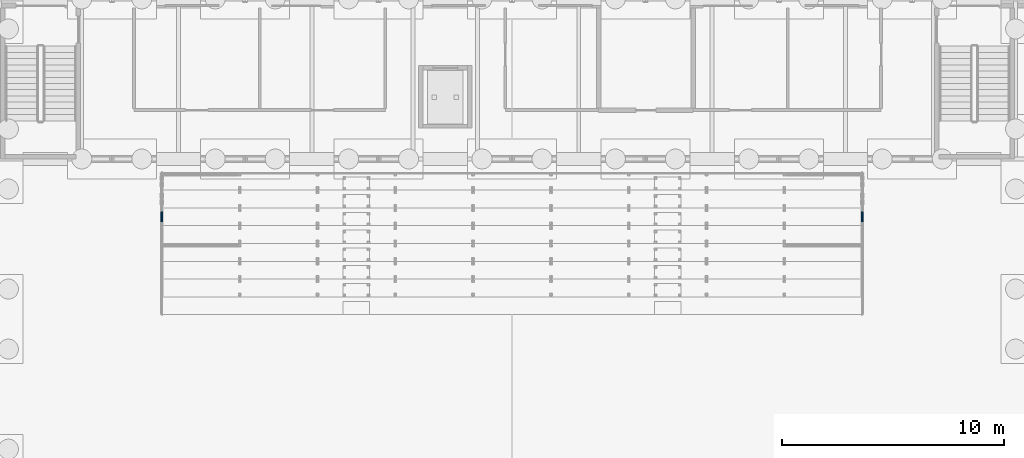
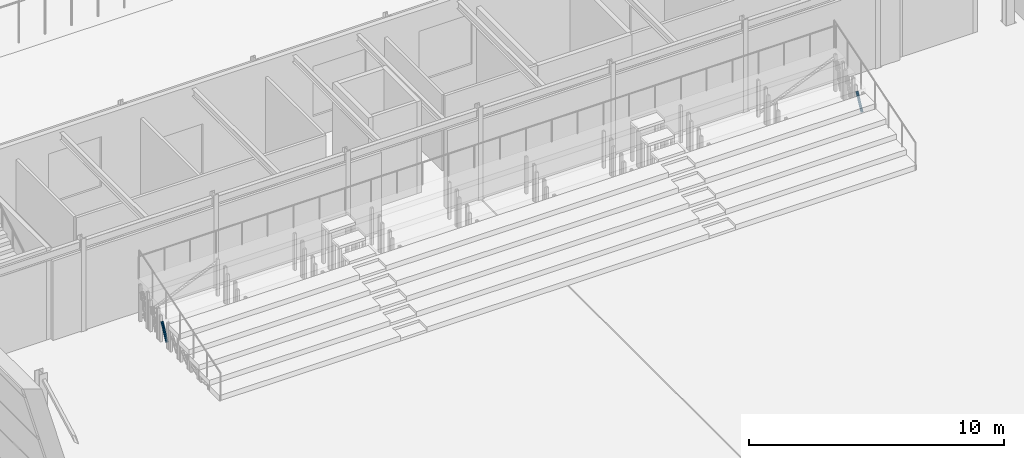
# One storey, part 65 of 139: 2 members.
"""IFC4 building model written with IfcOpenShell, lengths in metres."""

from ifc_helpers import new_model, si_unit, direction, frame, origin, origin_2d, place, context, subcontext, project, spatial, hollow_circle, extrude, material, material_profile, profile_set, type_object, element, save


model = new_model("IFC4")

# Units and contexts
model_context = context("Model", 3, precision=1e-05, world=origin(), true_north=direction((0.0, 1.0)))
body_context = subcontext(model_context, "Body", "Model", "MODEL_VIEW")
ifc_project = project(units=[si_unit("LENGTHUNIT", "METRE"), si_unit("AREAUNIT", "SQUARE_METRE"), si_unit("VOLUMEUNIT", "CUBIC_METRE"), si_unit("PLANEANGLEUNIT", "RADIAN"), si_unit("MASSUNIT", "GRAM", prefix="KILO")], contexts=[model_context])

# Site, building, storey
site_placement = place(None, origin())
site = spatial("IfcSite", under=ifc_project, at=site_placement, CompositionType="ELEMENT")
building_placement = place(site_placement, origin())
building = spatial("IfcBuilding", under=site, at=building_placement, Name="Verrick Yard Athletic Hall", CompositionType="ELEMENT")
storey_placement = place(building_placement, origin())
storey = spatial("IfcBuildingStorey", under=building, at=storey_placement, Name="L00", CompositionType="ELEMENT", Elevation=0.0)

# Members
ifc_material = material(Name="Structural steel HSS Class C 350W (CSA G40.20/G40.21)", Category="steel")
ifc_material_profile = material_profile(ifc_material, hollow_circle(Radius=0.05712890625, WallThickness=0.00634765625, at=origin_2d()), Name="HSS114x6.4")
ifc_profile_set = profile_set([ifc_material_profile], Name="Structural steel HSS Class C 350W (CSA G40.20/G40.21)")
member_type = type_object("IfcMemberType", Name="HB roof brace HSS114x6.4", PredefinedType="BRACE", material=ifc_profile_set)
for number, where, z_axis, x_axis, name in (
    (1, (36.250732421875, 98.00146484375, 0.24658203125), (0.0, 0.464721937925, 0.885456673367), (-1.0, 0.0, 0.0), "HB-BRS-RSB1-a6"),
    (2, (67.749267578125, 98.00146484375, 0.24658203125), (0.0, 0.464721937925, 0.885456673367), (-1.0, 0.0, 0.0), "HB-BRS-RSB1-z6"),
):
    element("IfcMember", number, at=place(storey_placement, frame(where, z_axis=z_axis, x_axis=x_axis)), inside=storey, type_object=member_type, Name=name, PredefinedType="BRACE", context=body_context, shape_type="SweptSolid", body=[
        extrude(hollow_circle(Radius=0.05712890625, WallThickness=0.00634765625, at=origin_2d()), origin(), (0.0, 0.0, 1.0), 0.854736328125),
    ])

save(model, "model.ifc")
